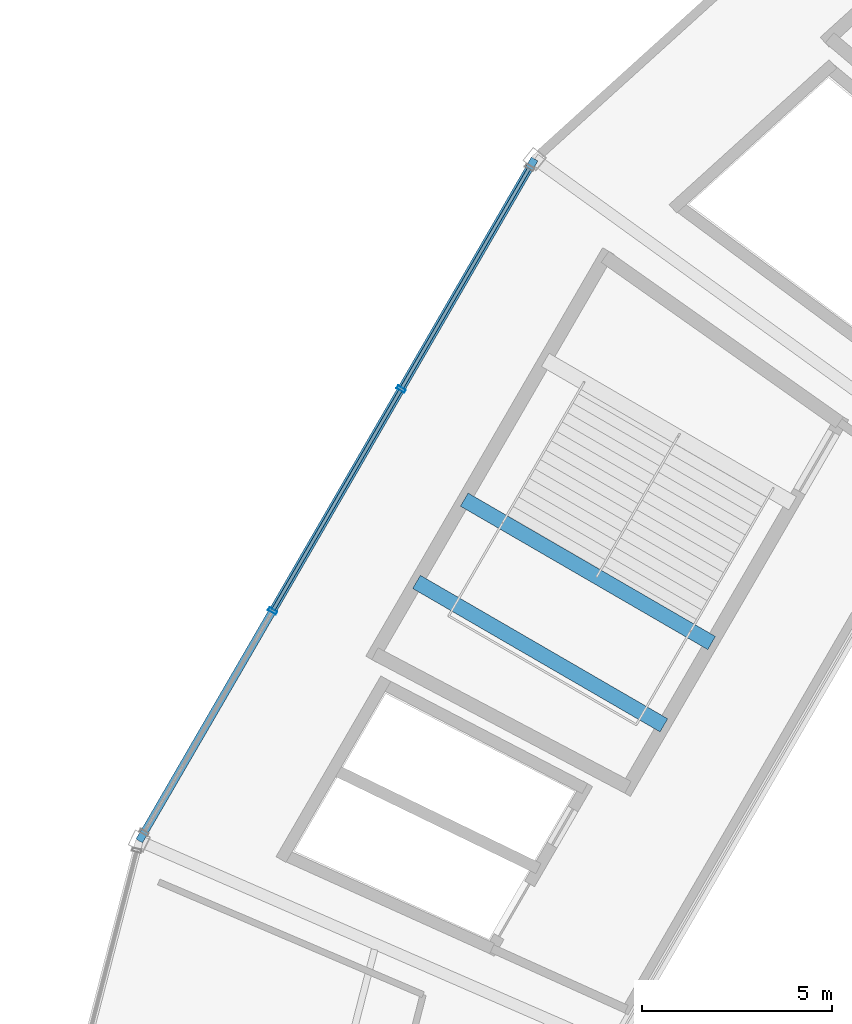
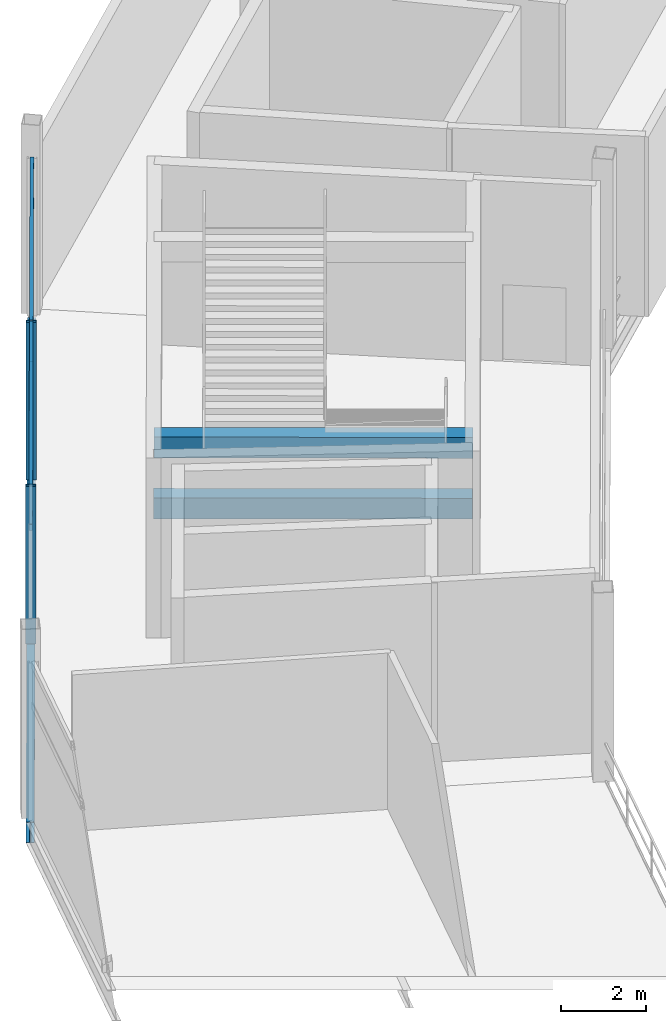
# One storey, part 48 of 103: 6 members, 3 beams, 1 element without a shape of its own.
"""IFC4 building model written with IfcOpenShell, lengths in metres."""

from ifc_helpers import new_model, si_unit, direction, frame, origin, origin_2d, place, context, subcontext, project, spatial, rectangle, hollow_rectangle, i_section, extrude, material, layer, layer_set, material_profile, profile_set, type_object, element, aggregate, save


model = new_model("IFC4")

# Units and contexts
model_context = context("Model", 3, precision=1e-05, world=origin(), true_north=direction((0.0, 1.0)))
body_context = subcontext(model_context, "Body", "Model", "MODEL_VIEW")
ifc_project = project(units=[si_unit("LENGTHUNIT", "METRE"), si_unit("AREAUNIT", "SQUARE_METRE"), si_unit("VOLUMEUNIT", "CUBIC_METRE"), si_unit("PLANEANGLEUNIT", "RADIAN"), si_unit("MASSUNIT", "GRAM", prefix="KILO")], contexts=[model_context])

# Site, building, storey
site_placement = place(None, origin())
site = spatial("IfcSite", under=ifc_project, at=site_placement, CompositionType="ELEMENT")
building_placement = place(site_placement, origin())
building = spatial("IfcBuilding", under=site, at=building_placement, Name="Kazemori Nagisa Stadium", CompositionType="ELEMENT")
storey_placement = place(building_placement, frame((0.0, 0.0, 25.840087890625)))
storey = spatial("IfcBuildingStorey", under=building, at=storey_placement, Name="L05", CompositionType="ELEMENT", Elevation=25.840087890625)

# Beams
ifc_material_1 = material(Name="Concrete C40/50 (Fc42)", Category="concrete")
ifc_material_profile_1 = material_profile(ifc_material_1, rectangle(XDim=0.39990234375, YDim=0.60009765625, at=origin_2d()), Name="RC-BM-400x600")
ifc_profile_set_1 = profile_set([ifc_material_profile_1], Name="Concrete C40/50 (Fc42)")
beam_type_1 = type_object("IfcBeamType", Name="Beam_BG-LND400X600", PredefinedType="BEAM", material=ifc_profile_set_1)
beam_1_placement = place(storey_placement, frame((49.156494140625, 145.94970703125, 2.219970703125), z_axis=(-0.865108738479, 0.501584360409, 0.0), x_axis=(-0.501584360409, -0.865108738479, 0.0)))
element("IfcBeam", 1, at=beam_1_placement, inside=storey, type_object=beam_type_1, Name="Core stair mid-landing girder ST08-L05-1", PredefinedType="BEAM", context=body_context, shape_type="SweptSolid", body=[
    extrude(rectangle(XDim=0.39990234375, YDim=0.60009765625, at=origin_2d()), origin(), (0.0, 0.0, 1.0), 7.513671875),
])
beam_2_placement = place(storey_placement, frame((47.90234375, 143.786865234375, 2.219970703125), z_axis=(-0.865094639125, 0.501608677514, 0.0), x_axis=(-0.501608677514, -0.865094639125, 0.0)))
element("IfcBeam", 2, at=beam_2_placement, inside=storey, type_object=beam_type_1, Name="Core stair mid-landing girder ST08-L05-2", PredefinedType="BEAM", context=body_context, shape_type="SweptSolid", body=[
    extrude(rectangle(XDim=0.39990234375, YDim=0.60009765625, at=origin_2d()), origin(), (0.0, 0.0, 1.0), 7.513916015625),
])
ifc_material_2 = material(Name="Steel SN490B", Category="steel")
ifc_material_profile_2 = material_profile(ifc_material_2, i_section(OverallWidth=0.199951171875, OverallDepth=0.60009765625, WebThickness=0.010986328125, FlangeThickness=0.01708984375, FilletRadius=0.012939453125, at=origin_2d()), Name="H-600x200x11x17")
ifc_profile_set_2 = profile_set([ifc_material_profile_2], Name="Steel SN490B")
beam_type_2 = type_object("IfcBeamType", Name="Beam_BS-H600", PredefinedType="SPANDREL", material=ifc_profile_set_2)
beam_3_placement = place(storey_placement, frame((44.504638671875, 158.667724609375, -0.56005859375), z_axis=(-0.50161277459, -0.8650922635, 0.0), x_axis=(0.8650922635, -0.50161277459, 0.0)))
element("IfcBeam", 3, at=beam_3_placement, inside=storey, type_object=beam_type_2, Name="Ring girder BS-H600 L05 R3-12", PredefinedType="SPANDREL", context=body_context, shape_type="SweptSolid", body=[
    extrude(i_section(OverallWidth=0.199951171875, OverallDepth=0.60009765625, WebThickness=0.010986328125, FlangeThickness=0.01708984375, FilletRadius=0.012939453125, at=origin_2d()), origin(), (0.0, 0.0, 1.0), 20.71240234375),
])

# Curtain wall, members
ifc_material_3 = material(Name="Anodised aluminium 6063-T5", Category="aluminium")
ifc_layer = layer(ifc_material_3, 0.239990234375, Name="Anodised aluminium 6063-T5", Category="aluminium")
ifc_layer_set = layer_set([ifc_layer], Name="Anodised aluminium 6063-T5")
curtain_wall_type = type_object("IfcCurtainWallType", Name="CW_L05R3_101", PredefinedType="USERDEFINED", material=ifc_layer_set)
curtain_wall_placement = place(storey_placement, origin())
curtain_wall = element("IfcCurtainWall", 4, at=curtain_wall_placement, inside=storey, type_object=curtain_wall_type, Name="Unitised curtain wall CW-L05R3-101 L05", ObjectType="UNITISED CURTAIN WALL", PredefinedType="USERDEFINED")
ifc_material_4 = material(Name="Aluminium 6063-T5 anodised", Category="aluminium")
ifc_material_profile_3 = material_profile(ifc_material_4, hollow_rectangle(XDim=0.090087890625, YDim=0.239990234375, WallThickness=0.0048828125, at=origin_2d()), Name="ALU-MULL-90x240x5")
ifc_profile_set_3 = profile_set([ifc_material_profile_3], Name="Aluminium 6063-T5 anodised")
member_type_1 = type_object("IfcMemberType", Name="Mullion_M03", PredefinedType="MULLION", material=ifc_profile_set_3)
member_1_placement = place(storey_placement, frame((40.998779296875, 152.621337890625, 0.0), z_axis=(0.0, 0.0, 1.0), x_axis=(-0.501611590054, -0.865092950337, 0.0)))
member_1 = element("IfcMember", 5, at=member_1_placement, type_object=member_type_1, Name="Curtain wall mullion CW-L05R3-101-M2", PredefinedType="MULLION", context=body_context, shape_type="SweptSolid", body=[
    extrude(hollow_rectangle(XDim=0.090087890625, YDim=0.239990234375, WallThickness=0.0048828125, at=origin_2d()), origin(), (0.0, 0.0, 1.0), 4.530029296875),
])
member_2_placement = place(storey_placement, frame((37.620849609375, 146.795654296875, 0.0), z_axis=(0.0, 0.0, 1.0), x_axis=(-0.501611590054, -0.865092950337, 0.0)))
member_2 = element("IfcMember", 6, at=member_2_placement, type_object=member_type_1, Name="Curtain wall mullion CW-L05R3-101-M3", PredefinedType="MULLION", context=body_context, shape_type="SweptSolid", body=[
    extrude(hollow_rectangle(XDim=0.090087890625, YDim=0.239990234375, WallThickness=0.0048828125, at=origin_2d()), origin(), (0.0, 0.0, 1.0), 4.530029296875),
])
ifc_material_profile_4 = material_profile(ifc_material_4, hollow_rectangle(XDim=0.090087890625, YDim=0.179931640625, WallThickness=0.0048828125, at=origin_2d()), Name="ALU-TRAN-90x180x5")
ifc_profile_set_4 = profile_set([ifc_material_profile_4], Name="Aluminium 6063-T5 anodised")
member_type_2 = type_object("IfcMemberType", Name="Transom_T03", PredefinedType="USERDEFINED", material=ifc_profile_set_4)
member_3_placement = place(storey_placement, frame((44.36669921875, 158.4296875, 3.306884765625), z_axis=(-0.50161984125, -0.865088165948, 0.0), x_axis=(0.865088165948, -0.50161984125, 0.0)))
member_3 = element("IfcMember", 7, at=member_3_placement, type_object=member_type_2, Name="Curtain wall transom CW-L05R3-101-T1-mid", ObjectType="TRANSOM", PredefinedType="USERDEFINED", context=body_context, shape_type="SweptSolid", body=[
    extrude(hollow_rectangle(XDim=0.090087890625, YDim=0.179931640625, WallThickness=0.0048828125, at=origin_2d()), origin(), (0.0, 0.0, 1.0), 6.694091796875),
])
member_4_placement = place(storey_placement, frame((44.36669921875, 158.4296875, 4.4599609375), z_axis=(-0.50161984125, -0.865088165948, 0.0), x_axis=(0.865088165948, -0.50161984125, 0.0)))
member_4 = element("IfcMember", 8, at=member_4_placement, type_object=member_type_2, Name="Curtain wall transom CW-L05R3-101-T1-head", ObjectType="TRANSOM", PredefinedType="USERDEFINED", context=body_context, shape_type="SweptSolid", body=[
    extrude(hollow_rectangle(XDim=0.090087890625, YDim=0.179931640625, WallThickness=0.0048828125, at=origin_2d()), origin(), (0.0, 0.0, 1.0), 6.694091796875),
])
member_5_placement = place(storey_placement, frame((40.98876953125, 152.60400390625, 3.306884765625), z_axis=(-0.50161984125, -0.865088165948, 0.0), x_axis=(0.865088165948, -0.50161984125, 0.0)))
member_5 = element("IfcMember", 9, at=member_5_placement, type_object=member_type_2, Name="Curtain wall transom CW-L05R3-101-T2-mid", ObjectType="TRANSOM", PredefinedType="USERDEFINED", context=body_context, shape_type="SweptSolid", body=[
    extrude(hollow_rectangle(XDim=0.090087890625, YDim=0.179931640625, WallThickness=0.0048828125, at=origin_2d()), origin(), (0.0, 0.0, 1.0), 6.694091796875),
])
member_6_placement = place(storey_placement, frame((40.98876953125, 152.60400390625, 4.4599609375), z_axis=(-0.50161984125, -0.865088165948, 0.0), x_axis=(0.865088165948, -0.50161984125, 0.0)))
member_6 = element("IfcMember", 10, at=member_6_placement, type_object=member_type_2, Name="Curtain wall transom CW-L05R3-101-T2-head", ObjectType="TRANSOM", PredefinedType="USERDEFINED", context=body_context, shape_type="SweptSolid", body=[
    extrude(hollow_rectangle(XDim=0.090087890625, YDim=0.179931640625, WallThickness=0.0048828125, at=origin_2d()), origin(), (0.0, 0.0, 1.0), 6.694091796875),
])
aggregate(curtain_wall, [member_1, member_2, member_3, member_4, member_5, member_6])

save(model, "model.ifc")
